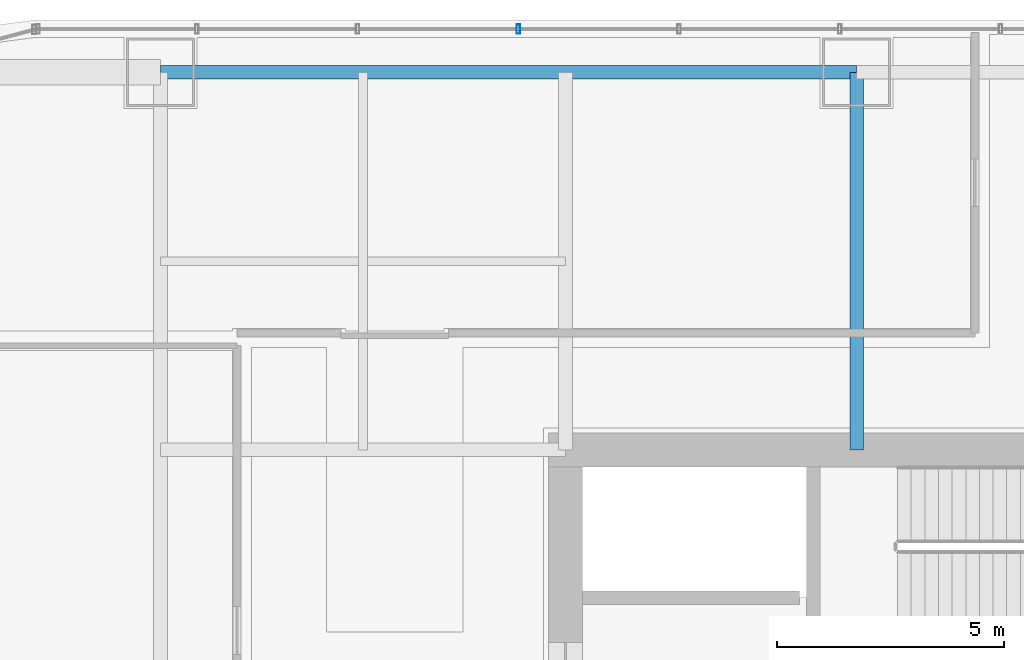
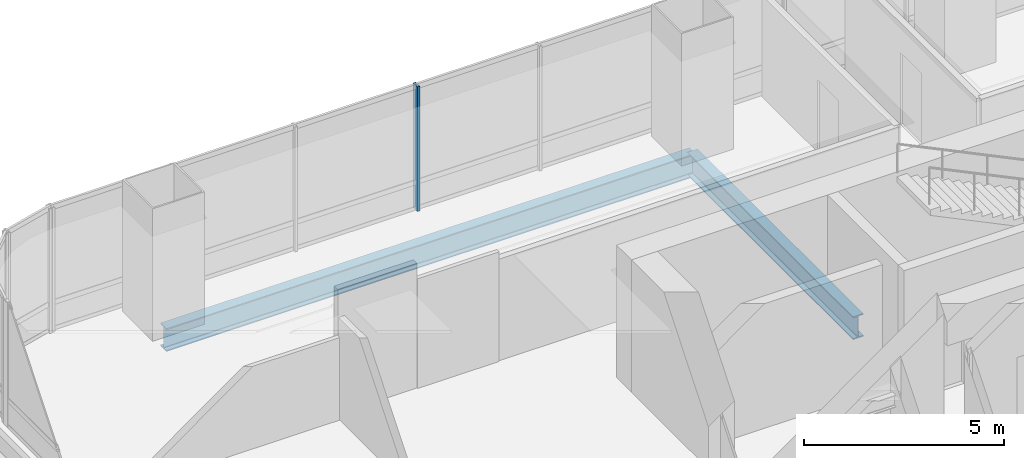
# One storey, part 20 of 36: 2 beams, 1 member, 1 element without a shape of its own.
"""IFC4 building model written with IfcOpenShell, lengths in metres."""

from ifc_helpers import new_model, si_unit, direction, frame, origin, origin_2d, place, context, subcontext, project, spatial, hollow_rectangle, i_section, extrude, material, material_profile, profile_set, type_object, element, aggregate, save


model = new_model("IFC4")

# Units and contexts
model_context = context("Model", 3, precision=1e-05, world=origin(), true_north=direction((0.0, 1.0)))
body_context = subcontext(model_context, "Body", "Model", "MODEL_VIEW")
ifc_project = project(units=[si_unit("LENGTHUNIT", "METRE"), si_unit("AREAUNIT", "SQUARE_METRE"), si_unit("VOLUMEUNIT", "CUBIC_METRE"), si_unit("PLANEANGLEUNIT", "RADIAN"), si_unit("MASSUNIT", "GRAM", prefix="KILO")], contexts=[model_context])

# Site, building, storey
site_placement = place(None, origin())
site = spatial("IfcSite", under=ifc_project, at=site_placement, CompositionType="ELEMENT")
building_placement = place(site_placement, origin())
building = spatial("IfcBuilding", under=site, at=building_placement, Name="Punatoya Terracotta Tower", CompositionType="ELEMENT")
storey_placement = place(building_placement, frame((0.0, 0.0, 36.300048828125)))
storey = spatial("IfcBuildingStorey", under=building, at=storey_placement, Name="L07", CompositionType="ELEMENT", Elevation=36.300048828125)

# Beams
ifc_material_1 = material(Name="Steel S355", Category="steel")
ifc_material_profile_1 = material_profile(ifc_material_1, i_section(OverallWidth=0.300048828125, OverallDepth=0.699951171875, WebThickness=0.01708984375, FlangeThickness=0.031982421875, FilletRadius=0.01806640625, at=origin_2d()))
ifc_profile_set_1 = profile_set([ifc_material_profile_1], Name="Steel S355")
beam_type = type_object("IfcBeamType", Name="BM-PRI-700", PredefinedType="BEAM", material=ifc_profile_set_1)
beam_1_placement = place(storey_placement, frame((-19.10009765625, 17.5, -0.590087890625), z_axis=(1.0, 0.0, 0.0), x_axis=(0.0, 1.0, 0.0)))
element("IfcBeam", 1, at=beam_1_placement, inside=storey, type_object=beam_type, Name="BM-L07-RG-N1", PredefinedType="BEAM", context=body_context, shape_type="SweptSolid", body=[
    extrude(i_section(OverallWidth=0.300048828125, OverallDepth=0.699951171875, WebThickness=0.01708984375, FlangeThickness=0.031982421875, FilletRadius=0.01806640625, at=origin_2d()), origin(), (0.0, 0.0, 1.0), 15.300048828125),
])
beam_2_placement = place(storey_placement, frame((-3.800048828125, 9.199951171875, -0.590087890625), z_axis=(0.0, 1.0, 0.0), x_axis=(-1.0, 0.0, 0.0)))
element("IfcBeam", 2, at=beam_2_placement, inside=storey, type_object=beam_type, Name="BM-L07-PR-N2", PredefinedType="BEAM", context=body_context, shape_type="SweptSolid", body=[
    extrude(i_section(OverallWidth=0.300048828125, OverallDepth=0.699951171875, WebThickness=0.01708984375, FlangeThickness=0.031982421875, FilletRadius=0.01806640625, at=origin_2d()), origin(), (0.0, 0.0, 1.0), 8.300048828125),
])

# Curtain wall, member
ifc_material_2 = material(Name="Aluminium 6063-T6 + Double Low-E Glass", Category="aluminium")
curtain_wall_type = type_object("IfcCurtainWallType", Name="CW-M1", PredefinedType="NOTDEFINED", material=ifc_material_2)
curtain_wall_placement = place(storey_placement, origin())
curtain_wall = element("IfcCurtainWall", 3, at=curtain_wall_placement, inside=storey, type_object=curtain_wall_type, Name="L07 Curtain Wall CW-L07-N09-1", PredefinedType="NOTDEFINED")
ifc_material_3 = material(Name="Aluminium 6063-T6", Category="aluminium")
ifc_material_profile_2 = material_profile(ifc_material_3, hollow_rectangle(XDim=0.074951171875, YDim=0.2099609375, WallThickness=0.00439453125, at=origin_2d()))
ifc_profile_set_2 = profile_set([ifc_material_profile_2], Name="Aluminium 6063-T6")
member_type = type_object("IfcMemberType", Name="CW-MUL-M1", PredefinedType="MULLION", material=ifc_profile_set_2)
member_placement = place(storey_placement, frame((-11.235107421875, 18.449951171875, 0.0), z_axis=(0.0, 0.0, 1.0), x_axis=(1.0, 0.0, 0.0)))
member = element("IfcMember", 4, at=member_placement, type_object=member_type, Name="CW-L07-N09-1 Mullion 08", PredefinedType="MULLION", context=body_context, shape_type="SweptSolid", body=[
    extrude(hollow_rectangle(XDim=0.074951171875, YDim=0.2099609375, WallThickness=0.00439453125, at=origin_2d()), origin(), (0.0, 0.0, 1.0), 3.81005859375),
])
aggregate(curtain_wall, [member])

save(model, "model.ifc")
